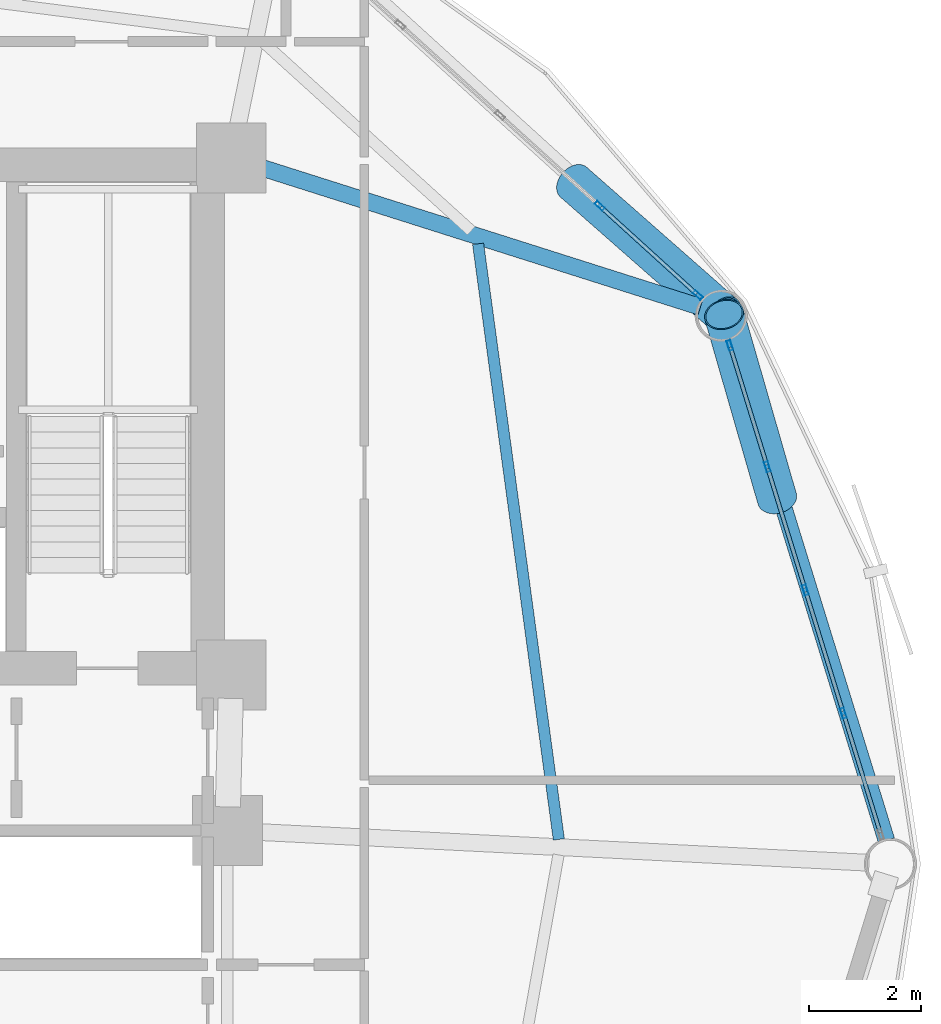
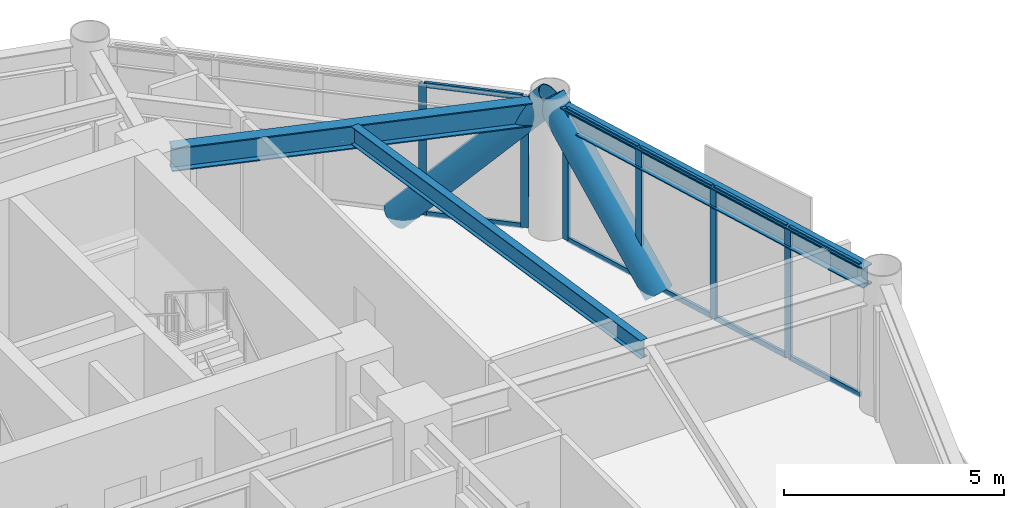
# One storey, part 14 of 25: 18 members, 3 beams, 2 elements without a shape of their own.
"""IFC4 building model written with IfcOpenShell, lengths in metres."""

from ifc_helpers import new_model, si_unit, direction, frame, origin, origin_2d, place, context, subcontext, project, spatial, hollow_rectangle, hollow_circle, i_section, extrude, material, layer, layer_set, material_profile, profile_set, type_object, element, aggregate, save


model = new_model("IFC4")

# Units and contexts
model_context = context("Model", 3, precision=1e-05, world=origin(), true_north=direction((0.0, 1.0)))
body_context = subcontext(model_context, "Body", "Model", "MODEL_VIEW")
ifc_project = project(units=[si_unit("LENGTHUNIT", "METRE"), si_unit("AREAUNIT", "SQUARE_METRE"), si_unit("VOLUMEUNIT", "CUBIC_METRE"), si_unit("PLANEANGLEUNIT", "RADIAN"), si_unit("MASSUNIT", "GRAM", prefix="KILO")], contexts=[model_context])

# Site, building, storey
site_placement = place(None, origin())
site = spatial("IfcSite", under=ifc_project, at=site_placement, CompositionType="ELEMENT")
building_placement = place(site_placement, origin())
building = spatial("IfcBuilding", under=site, at=building_placement, Name="Varnakorn Sky Granary", CompositionType="ELEMENT")
storey_placement = place(building_placement, frame((0.0, 0.0, 70.5)))
storey = spatial("IfcBuildingStorey", under=building, at=storey_placement, Name="L17", CompositionType="ELEMENT", Elevation=70.5)

# Beams
ifc_material_1 = material(Name="Steel S355JR", Category="steel")
ifc_material_profile_1 = material_profile(ifc_material_1, i_section(OverallWidth=0.300048828125, OverallDepth=0.64990234375, WebThickness=0.01611328125, FlangeThickness=0.031005859375, at=origin_2d()), Name="HE 650 B")
ifc_profile_set_1 = profile_set([ifc_material_profile_1], Name="Steel S355JR")
beam_type_1 = type_object("IfcBeamType", Name="BM-RAD-Z1", PredefinedType="BEAM", material=ifc_profile_set_1)
beam_1_placement = place(storey_placement, frame((8.8203125, 12.492919921875, 3.31494140625), z_axis=(0.953113064766, -0.302614417654, 0.0), x_axis=(0.302614417654, 0.953113064766, 0.0)))
element("IfcBeam", 1, at=beam_1_placement, inside=storey, type_object=beam_type_1, Name="Radial Floor Girder RG02 L17", PredefinedType="BEAM", context=body_context, shape_type="SweptSolid", body=[
    extrude(i_section(OverallWidth=0.300048828125, OverallDepth=0.64990234375, WebThickness=0.01611328125, FlangeThickness=0.031005859375, at=origin_2d()), origin(), (0.0, 0.0, 1.0), 8.380859375),
])
ifc_material_profile_2 = material_profile(ifc_material_1, i_section(OverallWidth=0.199951171875, OverallDepth=0.5, WebThickness=0.01025390625, FlangeThickness=0.01611328125, at=origin_2d()), Name="IPE 500")
ifc_profile_set_2 = profile_set([ifc_material_profile_2], Name="Steel S355JR")
beam_type_2 = type_object("IfcBeamType", Name="BM-SEC-Z1", PredefinedType="BEAM", material=ifc_profile_set_2)
beam_2_placement = place(storey_placement, frame((14.276123046875, 0.439208984375, 3.389892578125), z_axis=(-0.134314131458, 0.990938804413, 0.0), x_axis=(-0.990938804413, -0.134314131458, 0.0)))
element("IfcBeam", 2, at=beam_2_placement, inside=storey, type_object=beam_type_2, Name="Secondary Floor Chord Beam MSB01 L17", PredefinedType="BEAM", context=body_context, shape_type="SweptSolid", body=[
    extrude(i_section(OverallWidth=0.199951171875, OverallDepth=0.5, WebThickness=0.01025390625, FlangeThickness=0.01611328125, at=origin_2d()), origin(), (0.0, 0.0, 1.0), 10.744384765625),
])
ifc_material_profile_3 = material_profile(ifc_material_1, i_section(OverallWidth=0.300048828125, OverallDepth=0.550048828125, WebThickness=0.014892578125, FlangeThickness=0.029052734375, at=origin_2d()), Name="HE 550 B")
ifc_profile_set_3 = profile_set([ifc_material_profile_3], Name="Steel S355JR")
beam_type_3 = type_object("IfcBeamType", Name="BM-SPD-Z1", PredefinedType="SPANDREL", material=ifc_profile_set_3)
beam_3_placement = place(storey_placement, frame((20.131591796875, 0.42236328125, 3.364990234375), z_axis=(-0.29497853302, 0.95550388019, 0.0), x_axis=(-0.95550388019, -0.29497853302, 0.0)))
element("IfcBeam", 3, at=beam_3_placement, inside=storey, type_object=beam_type_3, Name="Perimeter Spandrel Ring Beam RB01 L17", PredefinedType="SPANDREL", context=body_context, shape_type="SweptSolid", body=[
    extrude(i_section(OverallWidth=0.300048828125, OverallDepth=0.550048828125, WebThickness=0.014892578125, FlangeThickness=0.029052734375, at=origin_2d()), origin(), (0.0, 0.0, 1.0), 9.396484375),
])

# Curtain wall, members
ifc_material_2 = material(Name="Anodised Bronze Aluminium Alloy 6063-T6", Category="aluminium")
ifc_layer = layer(ifc_material_2, 0.18994140625, Name="Anodised Bronze Aluminium Alloy 6063-T6")
ifc_layer_set = layer_set([ifc_layer], Name="Anodised Bronze Aluminium Alloy 6063-T6")
curtain_wall_type = type_object("IfcCurtainWallType", Name="CW-FRM-1", PredefinedType="USERDEFINED", material=ifc_layer_set)
curtain_wall_1_placement = place(storey_placement, origin())
curtain_wall_1 = element("IfcCurtainWall", 4, at=curtain_wall_1_placement, inside=storey, type_object=curtain_wall_type, Name="Unitised Curtain Wall CW3 CW-L17-B01", ObjectType="CURTAIN WALL", PredefinedType="USERDEFINED")
ifc_material_profile_4 = material_profile(ifc_material_2, hollow_rectangle(XDim=0.070068359375, YDim=0.18505859375, WallThickness=0.00390625, at=origin_2d()), Name="ALU MULL 70x185")
ifc_profile_set_4 = profile_set([ifc_material_profile_4], Name="Anodised Bronze Aluminium Alloy 6063-T6")
member_type_1 = type_object("IfcMemberType", Name="CW-FRM-1-MULL", PredefinedType="MULLION", material=ifc_profile_set_4)
member_1_placement = place(storey_placement, frame((17.33349609375, 9.26953125, 0.0), z_axis=(0.0, 0.0, 1.0), x_axis=(0.955536644145, 0.29487238205, 0.0)))
member_1 = element("IfcMember", 5, at=member_1_placement, type_object=member_type_1, Name="CW3 mullion 1", PredefinedType="MULLION", context=body_context, shape_type="SweptSolid", body=[
    extrude(hollow_rectangle(XDim=0.070068359375, YDim=0.18505859375, WallThickness=0.00390625, at=origin_2d()), origin(), (0.0, 0.0, 1.0), 3.639892578125),
])
member_2_placement = place(storey_placement, frame((18.002685546875, 7.100830078125, 0.0), z_axis=(0.0, 0.0, 1.0), x_axis=(0.955536644145, 0.29487238205, 0.0)))
member_2 = element("IfcMember", 6, at=member_2_placement, type_object=member_type_1, Name="CW3 mullion 2", PredefinedType="MULLION", context=body_context, shape_type="SweptSolid", body=[
    extrude(hollow_rectangle(XDim=0.070068359375, YDim=0.18505859375, WallThickness=0.00390625, at=origin_2d()), origin(), (0.0, 0.0, 1.0), 3.639892578125),
])
member_3_placement = place(storey_placement, frame((18.682373046875, 4.8984375, 0.0), z_axis=(0.0, 0.0, 1.0), x_axis=(0.955536644145, 0.29487238205, 0.0)))
member_3 = element("IfcMember", 7, at=member_3_placement, type_object=member_type_1, Name="CW3 mullion 3", PredefinedType="MULLION", context=body_context, shape_type="SweptSolid", body=[
    extrude(hollow_rectangle(XDim=0.070068359375, YDim=0.18505859375, WallThickness=0.00390625, at=origin_2d()), origin(), (0.0, 0.0, 1.0), 3.639892578125),
])
member_4_placement = place(storey_placement, frame((19.36181640625, 2.6962890625, 0.0), z_axis=(0.0, 0.0, 1.0), x_axis=(0.955536644145, 0.29487238205, 0.0)))
member_4 = element("IfcMember", 8, at=member_4_placement, type_object=member_type_1, Name="CW3 mullion 4", PredefinedType="MULLION", context=body_context, shape_type="SweptSolid", body=[
    extrude(hollow_rectangle(XDim=0.070068359375, YDim=0.18505859375, WallThickness=0.00390625, at=origin_2d()), origin(), (0.0, 0.0, 1.0), 3.639892578125),
])

curtain_wall_2_placement = place(storey_placement, origin())
curtain_wall_2 = element("IfcCurtainWall", 9, at=curtain_wall_2_placement, inside=storey, type_object=curtain_wall_type, Name="Unitised Curtain Wall CW3 CW-L17-B02", ObjectType="CURTAIN WALL", PredefinedType="USERDEFINED")
member_5_placement = place(storey_placement, frame((15.006591796875, 11.763916015625, 0.0), z_axis=(0.0, 0.0, 1.0), x_axis=(0.672582331683, 0.740022301764, 0.0)))
member_5 = element("IfcMember", 10, at=member_5_placement, type_object=member_type_1, Name="CW3 mullion 4", PredefinedType="MULLION", context=body_context, shape_type="SweptSolid", body=[
    extrude(hollow_rectangle(XDim=0.070068359375, YDim=0.18505859375, WallThickness=0.00390625, at=origin_2d()), origin(), (0.0, 0.0, 1.0), 3.639892578125),
])
member_6_placement = place(storey_placement, frame((16.76220703125, 10.168212890625, 0.0), z_axis=(0.0, 0.0, 1.0), x_axis=(0.672582331683, 0.740022301764, 0.0)))
member_6 = element("IfcMember", 11, at=member_6_placement, type_object=member_type_1, Name="CW3 mullion 5", PredefinedType="MULLION", context=body_context, shape_type="SweptSolid", body=[
    extrude(hollow_rectangle(XDim=0.070068359375, YDim=0.18505859375, WallThickness=0.00390625, at=origin_2d()), origin(), (0.0, 0.0, 1.0), 3.639892578125),
])

# Member
ifc_material_profile_5 = material_profile(ifc_material_2, hollow_rectangle(XDim=0.070068359375, YDim=0.139892578125, WallThickness=0.00341796875, at=origin_2d()), Name="ALU TRAN 70x140")
ifc_profile_set_5 = profile_set([ifc_material_profile_5], Name="Anodised Bronze Aluminium Alloy 6063-T6")
member_type_2 = type_object("IfcMemberType", Name="CW-FRM-1-TRAN", PredefinedType="USERDEFINED", material=ifc_profile_set_5)
member_7_placement = place(storey_placement, frame((17.34375, 9.236083984375, 0.034912109375), z_axis=(0.294904678901, -0.95552667695, 0.0), x_axis=(0.95552667695, 0.294904678901, 0.0)))
member_7 = element("IfcMember", 12, at=member_7_placement, type_object=member_type_2, Name="CW3 transom 1.1", ObjectType="TRANSOM", PredefinedType="USERDEFINED", context=body_context, shape_type="SweptSolid", body=[
    extrude(hollow_rectangle(XDim=0.070068359375, YDim=0.139892578125, WallThickness=0.00341796875, at=origin_2d()), origin(), (0.0, 0.0, 1.0), 2.19970703125),
])

member_8_placement = place(storey_placement, frame((17.34375, 9.236083984375, 3.60498046875), z_axis=(0.294904678901, -0.95552667695, 0.0), x_axis=(0.95552667695, 0.294904678901, 0.0)))
member_8 = element("IfcMember", 13, at=member_8_placement, type_object=member_type_2, Name="CW3 transom 1.2", ObjectType="TRANSOM", PredefinedType="USERDEFINED", context=body_context, shape_type="SweptSolid", body=[
    extrude(hollow_rectangle(XDim=0.070068359375, YDim=0.139892578125, WallThickness=0.00341796875, at=origin_2d()), origin(), (0.0, 0.0, 1.0), 2.19970703125),
])

member_9_placement = place(storey_placement, frame((18.012939453125, 7.0673828125, 0.034912109375), z_axis=(0.294845729944, -0.955544868404, 0.0), x_axis=(0.955544868404, 0.294845729944, 0.0)))
member_9 = element("IfcMember", 14, at=member_9_placement, type_object=member_type_2, Name="CW3 transom 2.1", ObjectType="TRANSOM", PredefinedType="USERDEFINED", context=body_context, shape_type="SweptSolid", body=[
    extrude(hollow_rectangle(XDim=0.070068359375, YDim=0.139892578125, WallThickness=0.00341796875, at=origin_2d()), origin(), (0.0, 0.0, 1.0), 2.23486328125),
])

member_10_placement = place(storey_placement, frame((18.012939453125, 7.0673828125, 3.60498046875), z_axis=(0.294845729944, -0.955544868404, 0.0), x_axis=(0.955544868404, 0.294845729944, 0.0)))
member_10 = element("IfcMember", 15, at=member_10_placement, type_object=member_type_2, Name="CW3 transom 2.2", ObjectType="TRANSOM", PredefinedType="USERDEFINED", context=body_context, shape_type="SweptSolid", body=[
    extrude(hollow_rectangle(XDim=0.070068359375, YDim=0.139892578125, WallThickness=0.00341796875, at=origin_2d()), origin(), (0.0, 0.0, 1.0), 2.23486328125),
])

member_11_placement = place(storey_placement, frame((18.692626953125, 4.864990234375, 0.034912109375), z_axis=(0.294876510827, -0.955535370022, 0.0), x_axis=(0.955535370022, 0.294876510827, 0.0)))
member_11 = element("IfcMember", 16, at=member_11_placement, type_object=member_type_2, Name="CW3 transom 3.1", ObjectType="TRANSOM", PredefinedType="USERDEFINED", context=body_context, shape_type="SweptSolid", body=[
    extrude(hollow_rectangle(XDim=0.070068359375, YDim=0.139892578125, WallThickness=0.00341796875, at=origin_2d()), origin(), (0.0, 0.0, 1.0), 2.234619140625),
])

member_12_placement = place(storey_placement, frame((18.692626953125, 4.864990234375, 3.60498046875), z_axis=(0.294876510827, -0.955535370022, 0.0), x_axis=(0.955535370022, 0.294876510827, 0.0)))
member_12 = element("IfcMember", 17, at=member_12_placement, type_object=member_type_2, Name="CW3 transom 3.2", ObjectType="TRANSOM", PredefinedType="USERDEFINED", context=body_context, shape_type="SweptSolid", body=[
    extrude(hollow_rectangle(XDim=0.070068359375, YDim=0.139892578125, WallThickness=0.00341796875, at=origin_2d()), origin(), (0.0, 0.0, 1.0), 2.234619140625),
])

member_13_placement = place(storey_placement, frame((19.372314453125, 2.662841796875, 0.034912109375), z_axis=(0.294772070745, -0.955567593794, 0.0), x_axis=(0.955567593794, 0.294772070745, 0.0)))
member_13 = element("IfcMember", 18, at=member_13_placement, type_object=member_type_2, Name="CW3 transom 4.1", ObjectType="TRANSOM", PredefinedType="USERDEFINED", context=body_context, shape_type="SweptSolid", body=[
    extrude(hollow_rectangle(XDim=0.070068359375, YDim=0.139892578125, WallThickness=0.00341796875, at=origin_2d()), origin(), (0.0, 0.0, 1.0), 2.19970703125),
])

member_14_placement = place(storey_placement, frame((19.372314453125, 2.662841796875, 3.60498046875), z_axis=(0.294772070745, -0.955567593794, 0.0), x_axis=(0.955567593794, 0.294772070745, 0.0)))
member_14 = element("IfcMember", 19, at=member_14_placement, type_object=member_type_2, Name="CW3 transom 4.2", ObjectType="TRANSOM", PredefinedType="USERDEFINED", context=body_context, shape_type="SweptSolid", body=[
    extrude(hollow_rectangle(XDim=0.070068359375, YDim=0.139892578125, WallThickness=0.00341796875, at=origin_2d()), origin(), (0.0, 0.0, 1.0), 2.19970703125),
])

aggregate(curtain_wall_1, [member_1, member_2, member_3, member_4, member_7, member_8, member_9, member_10, member_11, member_12, member_13, member_14])

member_15_placement = place(storey_placement, frame((15.032470703125, 11.740234375, 0.034912109375), z_axis=(0.740026443975, -0.672577774103, 0.0), x_axis=(0.672577774103, 0.740026443975, 0.0)))
member_15 = element("IfcMember", 20, at=member_15_placement, type_object=member_type_2, Name="CW3 transom 4.1", ObjectType="TRANSOM", PredefinedType="USERDEFINED", context=body_context, shape_type="SweptSolid", body=[
    extrude(hollow_rectangle(XDim=0.070068359375, YDim=0.139892578125, WallThickness=0.00341796875, at=origin_2d()), origin(), (0.0, 0.0, 1.0), 2.302001953125),
])

member_16_placement = place(storey_placement, frame((15.032470703125, 11.740234375, 3.60498046875), z_axis=(0.740026443975, -0.672577774103, 0.0), x_axis=(0.672577774103, 0.740026443975, 0.0)))
member_16 = element("IfcMember", 21, at=member_16_placement, type_object=member_type_2, Name="CW3 transom 4.2", ObjectType="TRANSOM", PredefinedType="USERDEFINED", context=body_context, shape_type="SweptSolid", body=[
    extrude(hollow_rectangle(XDim=0.070068359375, YDim=0.139892578125, WallThickness=0.00341796875, at=origin_2d()), origin(), (0.0, 0.0, 1.0), 2.302001953125),
])

aggregate(curtain_wall_2, [member_5, member_6, member_15, member_16])

# Members
ifc_material_3 = material(Name="Steel S460M", Category="steel")
ifc_material_profile_6 = material_profile(ifc_material_3, hollow_circle(Radius=0.35546875, WallThickness=0.02490234375, at=origin_2d()), Name="CHS 711x25")
ifc_profile_set_6 = profile_set([ifc_material_profile_6], Name="Steel S460M")
member_type_3 = type_object("IfcMemberType", Name="MB-DIAG-T0", PredefinedType="BRACE", material=ifc_profile_set_6)
member_17_placement = place(storey_placement, frame((18.178466796875, 6.53125, -0.1298828125), z_axis=(-0.186297902917, 0.646219352979, 0.740063267028), x_axis=(-0.960867739521, -0.277007557926, 0.0)))
element("IfcMember", 22, at=member_17_placement, inside=storey, type_object=member_type_3, Name="Perimeter CHS Diagrid Brace DG01 L17", PredefinedType="BRACE", context=body_context, shape_type="SweptSolid", body=[
    extrude(hollow_circle(Radius=0.35546875, WallThickness=0.02490234375, at=origin_2d()), origin(), (0.0, 0.0, 1.0), 5.09375),
])
member_18_placement = place(storey_placement, frame((14.540283203125, 12.1875, -0.1298828125), z_axis=(0.517213716448, -0.454763036205, 0.725038311001), x_axis=(0.660312762836, 0.750990715812, 0.0)))
element("IfcMember", 23, at=member_18_placement, inside=storey, type_object=member_type_3, Name="Perimeter CHS Diagrid Brace DG02 L17", PredefinedType="BRACE", context=body_context, shape_type="SweptSolid", body=[
    extrude(hollow_circle(Radius=0.35546875, WallThickness=0.02490234375, at=origin_2d()), origin(), (0.0, 0.0, 1.0), 5.199462890625),
])

save(model, "model.ifc")
